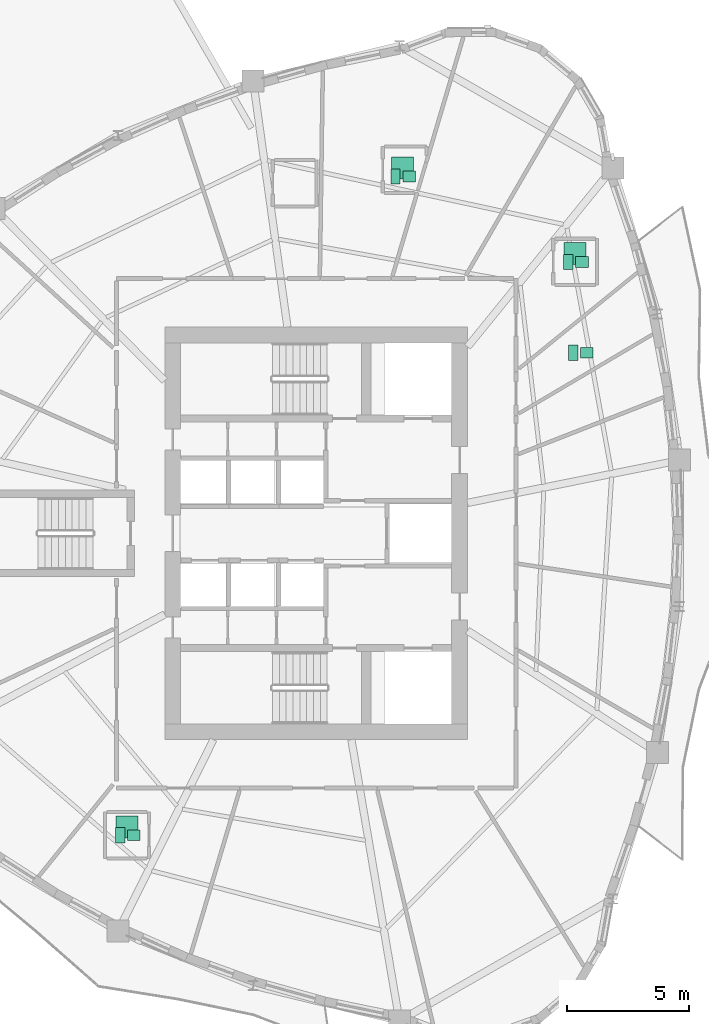
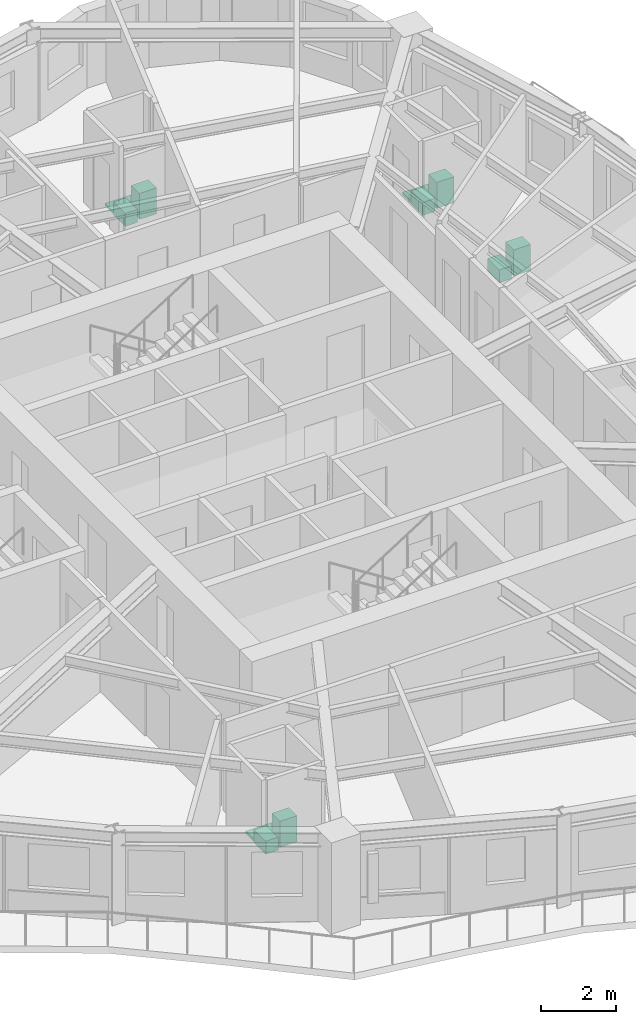
# One storey, part 13 of 13: 11 sanitary terminals.
"""IFC4 building model written with IfcOpenShell, lengths in metres."""

from ifc_helpers import new_model, si_unit, direction, frame, origin, origin_2d, place, context, subcontext, project, spatial, rectangle, extrude, source, transform, mapped, material, type_object, element, save


model = new_model("IFC4")

# Units and contexts
model_context = context("Model", 3, precision=1e-05, world=origin(), true_north=direction((0.0, 1.0)))
body_context = subcontext(model_context, "Body", "Model", "MODEL_VIEW")
ifc_project = project(units=[si_unit("LENGTHUNIT", "METRE"), si_unit("AREAUNIT", "SQUARE_METRE"), si_unit("VOLUMEUNIT", "CUBIC_METRE"), si_unit("PLANEANGLEUNIT", "RADIAN"), si_unit("MASSUNIT", "GRAM", prefix="KILO")], contexts=[model_context])

# Site, building, storey
site_placement = place(None, origin())
site = spatial("IfcSite", under=ifc_project, at=site_placement, CompositionType="ELEMENT")
building_placement = place(site_placement, origin())
building = spatial("IfcBuilding", under=site, at=building_placement, Name="Qafzar Sky-Pleat Residences", CompositionType="ELEMENT")
storey_placement = place(building_placement, frame((0.0, 0.0, 89.60009765625)))
storey = spatial("IfcBuildingStorey", under=building, at=storey_placement, Name="L26", CompositionType="ELEMENT", Elevation=89.60009765625)

# Sanitary terminals
ifc_material_1 = material(Name="Vitreous china sanitaryware")
sanitary_terminal_type_1 = type_object("IfcSanitaryTerminalType", Name="SAN-WC-PAN", PredefinedType="TOILETPAN", material=ifc_material_1)
shared_shape_1 = source(origin(), body_context, "Body", "SweptSolid", [
    extrude(rectangle(XDim=0.3798828125, YDim=0.6201171875, at=origin_2d()), origin(), (0.0, 0.0, 1.0), 0.419921875),
])
for number, where, z_axis, x_axis, name in (
    (1, (22.322998046875, 13.633056640625, 0.0), (0.0, 0.0, 1.0), (1.0, 0.0, 0.0), "L26 En-suite Bathroom 1 WC Pan"),
    (2, (40.877197265625, 33.3984375, 0.0), (0.0, 0.0, 1.0), (1.0, 0.0, 0.0), "L26 Accessible Shared Washroom WC Pan"),
    (3, (40.677978515625, 37.116943359375, 0.0), (0.0, 0.0, 1.0), (1.0, 0.0, 0.0), "L26 En-suite Bathroom 2 WC Pan"),
    (4, (33.59912109375, 40.61669921875, 0.0), (0.0, 0.0, 1.0), (1.0, 0.0, 0.0), "L26 En-suite Bathroom 3 WC Pan"),
):
    element("IfcSanitaryTerminal", number, at=place(storey_placement, frame(where, z_axis=z_axis, x_axis=x_axis)), inside=storey, type_object=sanitary_terminal_type_1, Name=name, PredefinedType="TOILETPAN", context=body_context, shape_type="MappedRepresentation", body=[
        mapped(shared_shape_1, transform((0.0, 0.0, 0.0), x_axis=(1.0, 0.0, 0.0), y_axis=(0.0, 1.0, 0.0), z_axis=(0.0, 0.0, 1.0), scale=1.0)),
    ])
sanitary_terminal_type_2 = type_object("IfcSanitaryTerminalType", Name="SAN-BASIN", PredefinedType="WASHHANDBASIN", material=ifc_material_1)
shared_shape_2 = source(origin(), body_context, "Body", "SweptSolid", [
    extrude(rectangle(XDim=0.52001953125, YDim=0.43994140625, at=origin_2d()), origin(), (0.0, 0.0, 1.0), 0.840087890625),
])
for number, where, z_axis, x_axis, name in (
    (5, (22.883056640625, 13.633056640625, 0.0), (0.0, 0.0, 1.0), (1.0, 0.0, 0.0), "L26 En-suite Bathroom 1 Pedestal Washbasin"),
    (6, (41.437255859375, 33.3984375, 0.0), (0.0, 0.0, 1.0), (1.0, 0.0, 0.0), "L26 Accessible Shared Washroom Pedestal Washbasin"),
    (7, (41.238037109375, 37.116943359375, 0.0), (0.0, 0.0, 1.0), (1.0, 0.0, 0.0), "L26 En-suite Bathroom 2 Pedestal Washbasin"),
    (8, (34.158935546875, 40.61669921875, 0.0), (0.0, 0.0, 1.0), (1.0, 0.0, 0.0), "L26 En-suite Bathroom 3 Pedestal Washbasin"),
):
    element("IfcSanitaryTerminal", number, at=place(storey_placement, frame(where, z_axis=z_axis, x_axis=x_axis)), inside=storey, type_object=sanitary_terminal_type_2, Name=name, PredefinedType="WASHHANDBASIN", context=body_context, shape_type="MappedRepresentation", body=[
        mapped(shared_shape_2, transform((0.0, 0.0, 0.0), x_axis=(1.0, 0.0, 0.0), y_axis=(0.0, 1.0, 0.0), z_axis=(0.0, 0.0, 1.0), scale=1.0)),
    ])
ifc_material_2 = material(Name="Vitreous china and acrylic tray")
sanitary_terminal_type_3 = type_object("IfcSanitaryTerminalType", Name="SAN-SHOWER", PredefinedType="SHOWER", material=ifc_material_2)
shared_shape_3 = source(origin(), body_context, "Body", "SweptSolid", [
    extrude(rectangle(XDim=0.89990234375, YDim=0.89990234375, at=origin_2d()), origin(), (0.0, 0.0, 1.0), 0.080078125),
])
for number, where, z_axis, x_axis, name in (
    (9, (22.60302734375, 13.972900390625, -0.000244140625), (0.0, 0.0, 1.0), (1.0, 0.0, 0.0), "L26 En-suite Bathroom 1 Walk-In Shower"),
    (10, (40.9580078125, 37.45703125, -0.000244140625), (0.0, 0.0, 1.0), (1.0, 0.0, 0.0), "L26 En-suite Bathroom 2 Walk-In Shower"),
    (11, (33.87890625, 40.956787109375, -0.000244140625), (0.0, 0.0, 1.0), (1.0, 0.0, 0.0), "L26 En-suite Bathroom 3 Walk-In Shower"),
):
    element("IfcSanitaryTerminal", number, at=place(storey_placement, frame(where, z_axis=z_axis, x_axis=x_axis)), inside=storey, type_object=sanitary_terminal_type_3, Name=name, PredefinedType="SHOWER", context=body_context, shape_type="MappedRepresentation", body=[
        mapped(shared_shape_3, transform((0.0, 0.0, 0.0), x_axis=(1.0, 0.0, 0.0), y_axis=(0.0, 1.0, 0.0), z_axis=(0.0, 0.0, 1.0), scale=1.0)),
    ])

save(model, "model.ifc")
